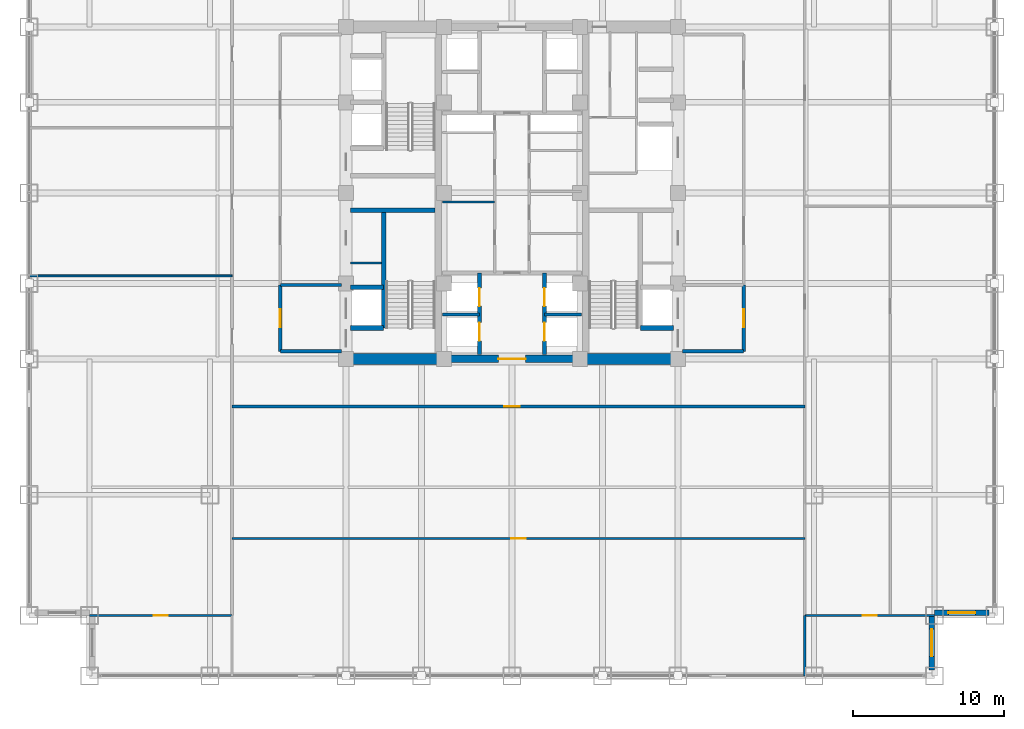
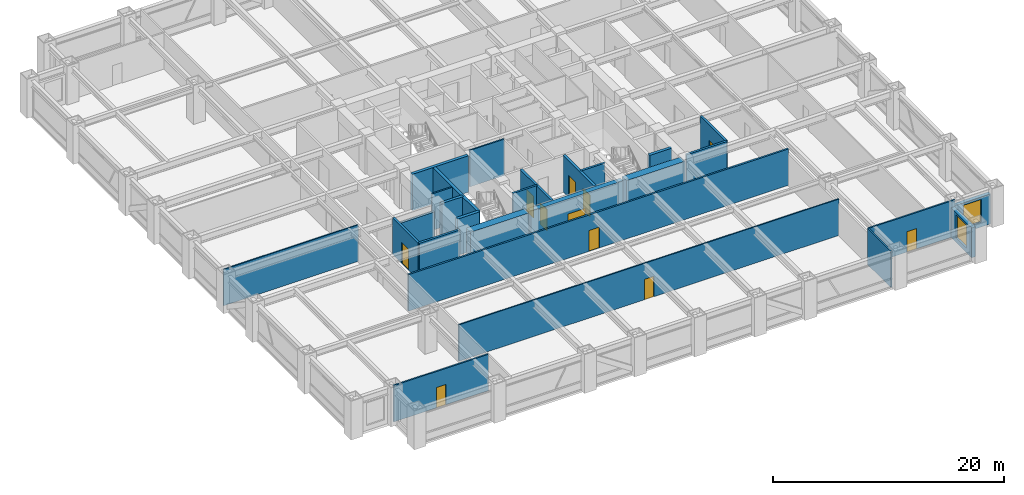
# One storey, part 23 of 28: 27 walls, 11 doors, 2 windows, 13 openings.
"""IFC4 building model written with IfcOpenShell, lengths in metres."""

from ifc_helpers import new_model, si_unit, direction, frame, frame_2d, origin, place, context, subcontext, project, spatial, rectangle, extrude, source, transform, mapped, material, layer, layer_set, type_object, element, fill, save


model = new_model("IFC4")

# Units and contexts
model_context = context("Model", 3, precision=1e-05, world=origin(), true_north=direction((0.0, 1.0)))
body_context = subcontext(model_context, "Body", "Model", "MODEL_VIEW")
ifc_project = project(units=[si_unit("LENGTHUNIT", "METRE"), si_unit("AREAUNIT", "SQUARE_METRE"), si_unit("VOLUMEUNIT", "CUBIC_METRE"), si_unit("PLANEANGLEUNIT", "RADIAN"), si_unit("MASSUNIT", "GRAM", prefix="KILO")], contexts=[model_context])

# Site, building, storey
site_placement = place(None, origin())
site = spatial("IfcSite", under=ifc_project, at=site_placement, CompositionType="ELEMENT")
building_placement = place(site_placement, origin())
building = spatial("IfcBuilding", under=site, at=building_placement, Name="Khorayat Bourse Tower", CompositionType="ELEMENT")
storey_placement = place(building_placement, frame((0.0, 0.0, 120.10009765625)))
storey = spatial("IfcBuildingStorey", under=building, at=storey_placement, Name="L27", CompositionType="ELEMENT", Elevation=120.10009765625)

# Walls
ifc_material_1 = material(Name="Concrete C72/90", Category="concrete")
ifc_layer_1 = layer(ifc_material_1, 0.75)
ifc_layer_set_1 = layer_set([ifc_layer_1], Name="Concrete C72/90")
wall_type_1 = type_object("IfcWallType", Name="WAL-CORE-750", PredefinedType="SHEAR", material=ifc_layer_set_1)
shared_shape_1 = source(origin(), body_context, "Body", "SweptSolid", [
    extrude(rectangle(XDim=5.849853515625, YDim=0.75, at=frame_2d((2.9248046875, 0.0))), origin(), (0.0, 0.0, 1.0), 3.83984375),
])
for number, where, z_axis, x_axis, name in (
    (1, (-10.699951171875, -11.0, 0.0), (0.0, 0.0, 1.0), (1.0, 0.0, 0.0), "L27 Core Shear Wall PIER-WS"),
    (2, (4.85009765625, -11.0, 0.0), (0.0, 0.0, 1.0), (1.0, 0.0, 0.0), "L27 Core Shear Wall PIER-ES"),
):
    element("IfcWall", number, at=place(storey_placement, frame(where, z_axis=z_axis, x_axis=x_axis)), inside=storey, type_object=wall_type_1, Name=name, PredefinedType="SHEAR", context=body_context, shape_type="MappedRepresentation", body=[
        mapped(shared_shape_1, transform((0.0, 0.0, 0.0), scale=1.0)),
    ])
ifc_material_2 = material(Name="Concrete C50/60", Category="concrete")
ifc_layer_2 = layer(ifc_material_2, 0.300048828125)
ifc_layer_set_2 = layer_set([ifc_layer_2], Name="Concrete C50/60")
wall_type_2 = type_object("IfcWallType", Name="WAL-SHAFT-300", PredefinedType="SHEAR", material=ifc_layer_set_2)
shared_shape_2 = source(origin(), body_context, "Body", "SweptSolid", [
    extrude(rectangle(XDim=5.599853515625, YDim=0.300048828125, at=frame_2d((2.7998046875, 0.0))), origin(), (0.0, 0.0, 1.0), 3.83984375),
])
wall_1_placement = place(storey_placement, frame((-10.699951171875, -1.14990234375, 0.0), z_axis=(0.0, 0.0, 1.0), x_axis=(1.0, 0.0, 0.0)))
element("IfcWall", 3, at=wall_1_placement, inside=storey, type_object=wall_type_2, Name="L27 Core Shear Wall ST1-DIV", PredefinedType="SHEAR", context=body_context, shape_type="MappedRepresentation", body=[
    mapped(shared_shape_2, transform((0.0, 0.0, 0.0), scale=1.0)),
])

# Wall, opening, door
ifc_material_3 = material(Name="Concrete C52/65", Category="concrete")
ifc_layer_3 = layer(ifc_material_3, 0.5)
ifc_layer_set_3 = layer_set([ifc_layer_3], Name="Concrete C52/65")
wall_type_3 = type_object("IfcWallType", Name="WAL-CORE-500", PredefinedType="SHEAR", material=ifc_layer_set_3)
shared_shape_3 = source(origin(), body_context, "Body", "SweptSolid", [
    extrude(rectangle(XDim=9.2001953125, YDim=0.5, at=frame_2d((4.60009765625, 0.0))), origin(), (0.0, 0.0, 1.0), 3.83984375),
])
wall_2_placement = place(storey_placement, frame((-4.60009765625, -11.0, 0.0), z_axis=(0.0, 0.0, 1.0), x_axis=(1.0, 0.0, 0.0)))
wall_2 = element("IfcWall", 4, at=wall_2_placement, inside=storey, type_object=wall_type_3, Name="L27 Core Shear Wall CORE-S", PredefinedType="SHEAR", context=body_context, shape_type="MappedRepresentation", body=[
    mapped(shared_shape_3, transform((0.0, 0.0, 0.0), scale=1.0)),
])
shared_shape_4 = source(origin(), body_context, "Body", "SweptSolid", [
    extrude(rectangle(XDim=1.800048828125, YDim=2.25, at=frame_2d((0.89990234375, 1.125))), frame((0.0, 0.260009765625, 0.0), z_axis=(0.0, -1.0, 0.0), x_axis=(1.0, 0.0, 0.0)), (0.0, 0.0, 1.0), 0.52001953125),
])
opening_1_placement = place(wall_2_placement, frame((3.699951171875, 0.0, 0.0)))
opening_1 = element("IfcOpeningElement", 5, at=opening_1_placement, cuts=wall_2, Name="Opening DI-03", PredefinedType="OPENING", context=body_context, shape_type="MappedRepresentation", body=[
    mapped(shared_shape_4, transform((0.0, 0.0, 0.0), scale=1.0)),
])
ifc_material_4 = material(Name="Fire-rated hardwood vision-panel double leaf", Category="wood")
door_type_1 = type_object("IfcDoorType", Name="DR-INT-CORR-1800", OperationType="NOTDEFINED", PredefinedType="DOOR", material=ifc_material_4)
shared_shape_5 = source(origin(), body_context, "Body", "SweptSolid", [
    extrude(rectangle(XDim=1.800048828125, YDim=2.25, at=frame_2d((0.89990234375, 1.125))), frame((0.0, 0.02490234375, 0.0), z_axis=(0.0, -1.0, 0.0), x_axis=(1.0, 0.0, 0.0)), (0.0, 0.0, 1.0), 0.050048828125),
])
door_1_placement = place(opening_1_placement, origin())
door_1 = element("IfcDoor", 6, at=door_1_placement, inside=storey, type_object=door_type_1, Name="L27 Low-Rise Lift Lobby Door", OperationType="SINGLE_SWING_LEFT", OverallHeight=2.25, OverallWidth=1.800048828125, PredefinedType="DOOR", context=body_context, shape_type="MappedRepresentation", body=[
    mapped(shared_shape_5, transform((0.0, 0.0, 0.0), scale=1.0)),
])
fill(opening_1, door_1)

# Wall, opening, window
ifc_material_5 = material(Name="Precast concrete C45/55", Category="concrete")
ifc_layer_4 = layer(ifc_material_5, 0.3798828125)
ifc_layer_set_4 = layer_set([ifc_layer_4], Name="Precast concrete C45/55")
wall_type_4 = type_object("IfcWallType", Name="WAL-EXT-STONE-380", PredefinedType="STANDARD", material=ifc_layer_set_4)
shared_shape_6 = source(origin(), body_context, "Body", "SweptSolid", [
    extrude(rectangle(XDim=3.6201171875, YDim=0.3798828125, at=frame_2d((1.81005859375, 0.0))), origin(), (0.0, 0.0, 1.0), 3.14501953125),
])
wall_3_placement = place(storey_placement, frame((27.81005859375, -31.6201171875, 0.0), z_axis=(0.0, 0.0, 1.0), x_axis=(0.0, 1.0, 0.0)))
wall_3 = element("IfcWall", 7, at=wall_3_placement, inside=storey, type_object=wall_type_4, Name="L27 Re-Entrant Notch Limestone Wall SE-V", PredefinedType="STANDARD", context=body_context, shape_type="MappedRepresentation", body=[
    mapped(shared_shape_6, transform((0.0, 0.0, 0.0), scale=1.0)),
])
shared_shape_7 = source(origin(), body_context, "Body", "SweptSolid", [
    extrude(rectangle(XDim=1.800048828125, YDim=2.39990234375, at=frame_2d((0.89990234375, 1.199951171875))), frame((0.0, 0.199951171875, 0.0), z_axis=(0.0, -1.0, 0.0), x_axis=(1.0, 0.0, 0.0)), (0.0, 0.0, 1.0), 0.39990234375),
])
opening_2_placement = place(wall_3_placement, frame((0.909912109375, 0.0, 0.5)))
opening_2 = element("IfcOpeningElement", 8, at=opening_2_placement, cuts=wall_3, Name="Opening WN-04", PredefinedType="OPENING", context=body_context, shape_type="MappedRepresentation", body=[
    mapped(shared_shape_7, transform((0.0, 0.0, 0.0), scale=1.0)),
])
ifc_material_6 = material(Name="Low-E acoustic laminated double glazing", Category="glass")
window_type = type_object("IfcWindowType", Name="WIN-NOTCH-1800x2400", PartitioningType="SINGLE_PANEL", PredefinedType="WINDOW", material=ifc_material_6)
shared_shape_8 = source(origin(), body_context, "Body", "SweptSolid", [
    extrude(rectangle(XDim=1.800048828125, YDim=2.39990234375, at=frame_2d((0.89990234375, 1.199951171875))), frame((0.0, 0.030029296875, 0.0), z_axis=(0.0, -1.0, 0.0), x_axis=(1.0, 0.0, 0.0)), (0.0, 0.0, 1.0), 0.06005859375),
])
window_1_placement = place(opening_2_placement, origin())
window_1 = element("IfcWindow", 9, at=window_1_placement, inside=storey, type_object=window_type, Name="L27 Facade Window 1", OverallHeight=2.39990234375, OverallWidth=1.800048828125, PartitioningType="SINGLE_PANEL", PredefinedType="WINDOW", context=body_context, shape_type="MappedRepresentation", body=[
    mapped(shared_shape_8, transform((0.0, 0.0, 0.0), scale=1.0)),
])
fill(opening_2, window_1)

wall_4_placement = place(storey_placement, frame((28.0, -27.81005859375, 0.0), z_axis=(0.0, 0.0, 1.0), x_axis=(1.0, 0.0, 0.0)))
wall_4 = element("IfcWall", 10, at=wall_4_placement, inside=storey, type_object=wall_type_4, Name="L27 Re-Entrant Notch Limestone Wall SE-H", PredefinedType="STANDARD", context=body_context, shape_type="MappedRepresentation", body=[
    mapped(shared_shape_6, transform((0.0, 0.0, 0.0), scale=1.0)),
])
opening_3_placement = place(wall_4_placement, frame((0.909912109375, 0.0, 0.5)))
opening_3 = element("IfcOpeningElement", 11, at=opening_3_placement, cuts=wall_4, Name="Opening WN-04", PredefinedType="OPENING", context=body_context, shape_type="MappedRepresentation", body=[
    mapped(shared_shape_7, transform((0.0, 0.0, 0.0), scale=1.0)),
])
window_2_placement = place(opening_3_placement, origin())
window_2 = element("IfcWindow", 12, at=window_2_placement, inside=storey, type_object=window_type, Name="L27 Facade Window 1", OverallHeight=2.39990234375, OverallWidth=1.800048828125, PartitioningType="SINGLE_PANEL", PredefinedType="WINDOW", context=body_context, shape_type="MappedRepresentation", body=[
    mapped(shared_shape_8, transform((0.0, 0.0, 0.0), scale=1.0)),
])
fill(opening_3, window_2)

# Walls
ifc_material_7 = material(Name="Aerated concrete blockwork", Category="masonry")
ifc_layer_5 = layer(ifc_material_7, 0.219970703125)
ifc_layer_set_5 = layer_set([ifc_layer_5], Name="Aerated concrete blockwork")
wall_type_5 = type_object("IfcWallType", Name="WAL-PART-FF-220", PredefinedType="PARTITIONING", material=ifc_layer_set_5)
shared_shape_9 = source(origin(), body_context, "Body", "SweptSolid", [
    extrude(rectangle(XDim=4.050048828125, YDim=0.219970703125, at=frame_2d((2.02490234375, 0.0))), origin(), (0.0, 0.0, 1.0), 3.06689453125),
])
wall_5_placement = place(storey_placement, frame((-15.35009765625, -6.10009765625, 0.0), z_axis=(0.0, 0.0, 1.0), x_axis=(1.0, 0.0, 0.0)))
element("IfcWall", 13, at=wall_5_placement, inside=storey, type_object=wall_type_5, Name="L27 Partition WAL-L27-FFLW-N", PredefinedType="PARTITIONING", context=body_context, shape_type="MappedRepresentation", body=[
    mapped(shared_shape_9, transform((0.0, 0.0, 0.0), scale=1.0)),
])
shared_shape_10 = source(origin(), body_context, "Body", "SweptSolid", [
    extrude(rectangle(XDim=7.800048828125, YDim=0.300048828125, at=frame_2d((3.89990234375, 0.0))), origin(), (0.0, 0.0, 1.0), 3.83984375),
])
wall_6_placement = place(storey_placement, frame((-8.5, -8.949951171875, 0.0), z_axis=(0.0, 0.0, 1.0), x_axis=(0.0, 1.0, 0.0)))
element("IfcWall", 14, at=wall_6_placement, inside=storey, type_object=wall_type_2, Name="L27 Partition WAL-L27-WPIER-SP", PredefinedType="SHEAR", context=body_context, shape_type="MappedRepresentation", body=[
    mapped(shared_shape_10, transform((0.0, 0.0, 0.0), scale=1.0)),
])
shared_shape_11 = source(origin(), body_context, "Body", "SweptSolid", [
    extrude(rectangle(XDim=2.199951171875, YDim=0.300048828125, at=frame_2d((1.10009765625, 0.0))), origin(), (0.0, 0.0, 1.0), 3.83984375),
])
for number, where, z_axis, x_axis, name in (
    (15, (-10.699951171875, -8.949951171875, 0.0), (0.0, 0.0, 1.0), (1.0, 0.0, 0.0), "L27 Partition WAL-L27-WPIER-FF1S"),
    (16, (-10.699951171875, -6.25, 0.0), (0.0, 0.0, 1.0), (1.0, 0.0, 0.0), "L27 Partition WAL-L27-WPIER-FF1N"),
    (17, (8.5, -8.949951171875, 0.0), (0.0, 0.0, 1.0), (1.0, 0.0, 0.0), "L27 Partition WAL-L27-EPIER-FF2S"),
):
    element("IfcWall", number, at=place(storey_placement, frame(where, z_axis=z_axis, x_axis=x_axis)), inside=storey, type_object=wall_type_2, Name=name, PredefinedType="SHEAR", context=body_context, shape_type="MappedRepresentation", body=[
        mapped(shared_shape_11, transform((0.0, 0.0, 0.0), scale=1.0)),
    ])
ifc_material_8 = material(Name="Gypsum plasterboard twin-frame partition")
ifc_layer_6 = layer(ifc_material_8, 0.14990234375)
ifc_layer_set_6 = layer_set([ifc_layer_6], Name="Gypsum plasterboard twin-frame partition")
wall_type_6 = type_object("IfcWallType", Name="WAL-PART-SUITE-150", PredefinedType="PARTITIONING", material=ifc_layer_set_6)
shared_shape_12 = source(origin(), body_context, "Body", "SweptSolid", [
    extrude(rectangle(XDim=2.050048828125, YDim=0.14990234375, at=frame_2d((1.02490234375, 0.0))), origin(), (0.0, 0.0, 1.0), 3.83984375),
])
wall_7_placement = place(storey_placement, frame((-10.699951171875, -4.64990234375, 0.0), z_axis=(0.0, 0.0, 1.0), x_axis=(1.0, 0.0, 0.0)))
element("IfcWall", 18, at=wall_7_placement, inside=storey, type_object=wall_type_6, Name="L27 Partition WAL-L27-WSRV-S0", PredefinedType="PARTITIONING", context=body_context, shape_type="MappedRepresentation", body=[
    mapped(shared_shape_12, transform((0.0, 0.0, 0.0), scale=1.0)),
])
shared_shape_13 = source(origin(), body_context, "Body", "SweptSolid", [
    extrude(rectangle(XDim=4.050048828125, YDim=0.219970703125, at=frame_2d((2.02490234375, 0.0))), origin(), (0.0, 0.0, 1.0), 3.83984375),
])
for number, where, z_axis, x_axis, name in (
    (19, (-15.35009765625, -10.5, 0.0), (0.0, 0.0, 1.0), (1.0, 0.0, 0.0), "L27 Partition WAL-L27-FFLW-S"),
    (20, (11.300048828125, -10.5, 0.0), (0.0, 0.0, 1.0), (1.0, 0.0, 0.0), "L27 Partition WAL-L27-FFLE-S"),
):
    element("IfcWall", number, at=place(storey_placement, frame(where, z_axis=z_axis, x_axis=x_axis)), inside=storey, type_object=wall_type_5, Name=name, PredefinedType="PARTITIONING", context=body_context, shape_type="MappedRepresentation", body=[
        mapped(shared_shape_13, transform((0.0, 0.0, 0.0), scale=1.0)),
    ])

# Wall, opening, door
shared_shape_14 = source(origin(), body_context, "Body", "SweptSolid", [
    extrude(rectangle(XDim=4.39990234375, YDim=0.219970703125, at=frame_2d((2.199951171875, 0.0))), origin(), (0.0, 0.0, 1.0), 3.83984375),
])
wall_8_placement = place(storey_placement, frame((-15.35009765625, -10.5, 0.0), z_axis=(0.0, 0.0, 1.0), x_axis=(0.0, 1.0, 0.0)))
wall_8 = element("IfcWall", 21, at=wall_8_placement, inside=storey, type_object=wall_type_5, Name="L27 Partition WAL-L27-FFLW-W", PredefinedType="PARTITIONING", context=body_context, shape_type="MappedRepresentation", body=[
    mapped(shared_shape_14, transform((0.0, 0.0, 0.0), scale=1.0)),
])
shared_shape_15 = source(origin(), body_context, "Body", "SweptSolid", [
    extrude(rectangle(XDim=1.199951171875, YDim=2.199951171875, at=frame_2d((0.60009765625, 1.10009765625))), frame((0.0, 0.119873046875, 0.0), z_axis=(0.0, -1.0, 0.0), x_axis=(1.0, 0.0, 0.0)), (0.0, 0.0, 1.0), 0.239990234375),
])
opening_4_placement = place(wall_8_placement, frame((1.60009765625, 0.0, 0.0)))
opening_4 = element("IfcOpeningElement", 22, at=opening_4_placement, cuts=wall_8, Name="Opening DI-02", PredefinedType="OPENING", context=body_context, shape_type="MappedRepresentation", body=[
    mapped(shared_shape_15, transform((0.0, 0.0, 0.0), scale=1.0)),
])
ifc_material_9 = material(Name="Fire-rated steel double-seal leaf", Category="steel")
door_type_2 = type_object("IfcDoorType", Name="DR-INT-FFLOBBY-1200", OperationType="NOTDEFINED", PredefinedType="DOOR", material=ifc_material_9)
shared_shape_16 = source(origin(), body_context, "Body", "SweptSolid", [
    extrude(rectangle(XDim=1.199951171875, YDim=2.199951171875, at=frame_2d((0.60009765625, 1.10009765625))), frame((0.0, 0.02490234375, 0.0), z_axis=(0.0, -1.0, 0.0), x_axis=(1.0, 0.0, 0.0)), (0.0, 0.0, 1.0), 0.050048828125),
])
door_2_placement = place(opening_4_placement, origin())
door_2 = element("IfcDoor", 23, at=door_2_placement, inside=storey, type_object=door_type_2, Name="L27 West Firefighting Lobby Door", OperationType="SINGLE_SWING_LEFT", OverallHeight=2.199951171875, OverallWidth=1.199951171875, PredefinedType="DOOR", context=body_context, shape_type="MappedRepresentation", body=[
    mapped(shared_shape_16, transform((0.0, 0.0, 0.0), scale=1.0)),
])
fill(opening_4, door_2)

wall_9_placement = place(storey_placement, frame((15.35009765625, -10.5, 0.0), z_axis=(0.0, 0.0, 1.0), x_axis=(0.0, 1.0, 0.0)))
wall_9 = element("IfcWall", 24, at=wall_9_placement, inside=storey, type_object=wall_type_5, Name="L27 Partition WAL-L27-FFLE-E", PredefinedType="PARTITIONING", context=body_context, shape_type="MappedRepresentation", body=[
    mapped(shared_shape_14, transform((0.0, 0.0, 0.0), scale=1.0)),
])
opening_5_placement = place(wall_9_placement, frame((1.60009765625, 0.0, 0.0)))
opening_5 = element("IfcOpeningElement", 25, at=opening_5_placement, cuts=wall_9, Name="Opening DI-02", PredefinedType="OPENING", context=body_context, shape_type="MappedRepresentation", body=[
    mapped(shared_shape_15, transform((0.0, 0.0, 0.0), scale=1.0)),
])
door_3_placement = place(opening_5_placement, origin())
door_3 = element("IfcDoor", 26, at=door_3_placement, inside=storey, type_object=door_type_2, Name="L27 East Firefighting Lobby Door", OperationType="SINGLE_SWING_RIGHT", OverallHeight=2.199951171875, OverallWidth=1.199951171875, PredefinedType="DOOR", context=body_context, shape_type="MappedRepresentation", body=[
    mapped(shared_shape_16, transform((0.0, 0.0, 0.0), scale=1.0)),
])
fill(opening_5, door_3)

# Wall, openings, doors
shared_shape_17 = source(origin(), body_context, "Body", "SweptSolid", [
    extrude(rectangle(XDim=5.39990234375, YDim=0.25, at=frame_2d((2.699951171875, 0.0))), origin(), (0.0, 0.0, 1.0), 3.83984375),
])
wall_10_placement = place(storey_placement, frame((-2.14990234375, -10.699951171875, 0.0), z_axis=(0.0, 0.0, 1.0), x_axis=(0.0, 1.0, 0.0)))
wall_10 = element("IfcWall", 27, at=wall_10_placement, inside=storey, type_object=wall_type_2, Name="L27 Partition WAL-L27-B1-W", PredefinedType="SHEAR", context=body_context, shape_type="MappedRepresentation", body=[
    mapped(shared_shape_17, transform((0.0, 0.0, 0.0), scale=1.0)),
])
shared_shape_18 = source(origin(), body_context, "Body", "SweptSolid", [
    extrude(rectangle(XDim=1.199951171875, YDim=2.300048828125, at=frame_2d((0.60009765625, 1.14990234375))), frame((0.0, 0.135009765625, 0.0), z_axis=(0.0, -1.0, 0.0), x_axis=(1.0, 0.0, 0.0)), (0.0, 0.0, 1.0), 0.27001953125),
])
opening_6_placement = place(wall_10_placement, frame((0.89990234375, 0.0, 0.0)))
opening_6 = element("IfcOpeningElement", 28, at=opening_6_placement, cuts=wall_10, Name="Opening LD-01", PredefinedType="OPENING", context=body_context, shape_type="MappedRepresentation", body=[
    mapped(shared_shape_18, transform((0.0, 0.0, 0.0), scale=1.0)),
])
opening_7_placement = place(wall_10_placement, frame((3.199951171875, 0.0, 0.0)))
opening_7 = element("IfcOpeningElement", 29, at=opening_7_placement, cuts=wall_10, Name="Opening LD-01", PredefinedType="OPENING", context=body_context, shape_type="MappedRepresentation", body=[
    mapped(shared_shape_18, transform((0.0, 0.0, 0.0), scale=1.0)),
])
ifc_material_10 = material(Name="Brushed bronze stainless-steel sliding door", Category="steel")
door_type_3 = type_object("IfcDoorType", Name="DR-LIFT-PASS-1200", OperationType="NOTDEFINED", PredefinedType="DOOR", material=ifc_material_10)
shared_shape_19 = source(origin(), body_context, "Body", "SweptSolid", [
    extrude(rectangle(XDim=1.199951171875, YDim=2.300048828125, at=frame_2d((0.60009765625, 1.14990234375))), frame((0.0, 0.02490234375, 0.0), z_axis=(0.0, -1.0, 0.0), x_axis=(1.0, 0.0, 0.0)), (0.0, 0.0, 1.0), 0.050048828125),
])
door_4_placement = place(opening_6_placement, origin())
door_4 = element("IfcDoor", 30, at=door_4_placement, inside=storey, type_object=door_type_3, Name="L27 Lift PL-L1 Sliding Landing Door", OperationType="SLIDING_TO_LEFT", OverallHeight=2.300048828125, OverallWidth=1.199951171875, PredefinedType="DOOR", context=body_context, shape_type="MappedRepresentation", body=[
    mapped(shared_shape_19, transform((0.0, 0.0, 0.0), scale=1.0)),
])
fill(opening_6, door_4)
door_5_placement = place(opening_7_placement, origin())
door_5 = element("IfcDoor", 31, at=door_5_placement, inside=storey, type_object=door_type_3, Name="L27 Lift PL-L3 Sliding Landing Door", OperationType="SLIDING_TO_LEFT", OverallHeight=2.300048828125, OverallWidth=1.199951171875, PredefinedType="DOOR", context=body_context, shape_type="MappedRepresentation", body=[
    mapped(shared_shape_19, transform((0.0, 0.0, 0.0), scale=1.0)),
])
fill(opening_7, door_5)

wall_11_placement = place(storey_placement, frame((2.14990234375, -10.699951171875, 0.0), z_axis=(0.0, 0.0, 1.0), x_axis=(0.0, 1.0, 0.0)))
wall_11 = element("IfcWall", 32, at=wall_11_placement, inside=storey, type_object=wall_type_2, Name="L27 Partition WAL-L27-B1-E", PredefinedType="SHEAR", context=body_context, shape_type="MappedRepresentation", body=[
    mapped(shared_shape_17, transform((0.0, 0.0, 0.0), scale=1.0)),
])
opening_8_placement = place(wall_11_placement, frame((0.89990234375, 0.0, 0.0)))
opening_8 = element("IfcOpeningElement", 33, at=opening_8_placement, cuts=wall_11, Name="Opening LD-01", PredefinedType="OPENING", context=body_context, shape_type="MappedRepresentation", body=[
    mapped(shared_shape_18, transform((0.0, 0.0, 0.0), scale=1.0)),
])
opening_9_placement = place(wall_11_placement, frame((3.199951171875, 0.0, 0.0)))
opening_9 = element("IfcOpeningElement", 34, at=opening_9_placement, cuts=wall_11, Name="Opening LD-01", PredefinedType="OPENING", context=body_context, shape_type="MappedRepresentation", body=[
    mapped(shared_shape_18, transform((0.0, 0.0, 0.0), scale=1.0)),
])
door_6_placement = place(opening_8_placement, origin())
door_6 = element("IfcDoor", 35, at=door_6_placement, inside=storey, type_object=door_type_3, Name="L27 Lift PL-L2 Sliding Landing Door", OperationType="SLIDING_TO_LEFT", OverallHeight=2.300048828125, OverallWidth=1.199951171875, PredefinedType="DOOR", context=body_context, shape_type="MappedRepresentation", body=[
    mapped(shared_shape_19, transform((0.0, 0.0, 0.0), scale=1.0)),
])
fill(opening_8, door_6)
door_7_placement = place(opening_9_placement, origin())
door_7 = element("IfcDoor", 36, at=door_7_placement, inside=storey, type_object=door_type_3, Name="L27 Lift PL-L4 Sliding Landing Door", OperationType="SLIDING_TO_LEFT", OverallHeight=2.300048828125, OverallWidth=1.199951171875, PredefinedType="DOOR", context=body_context, shape_type="MappedRepresentation", body=[
    mapped(shared_shape_19, transform((0.0, 0.0, 0.0), scale=1.0)),
])
fill(opening_9, door_7)

# Walls
shared_shape_20 = source(origin(), body_context, "Body", "SweptSolid", [
    extrude(rectangle(XDim=2.4501953125, YDim=0.199951171875, at=frame_2d((1.22509765625, 0.0))), origin(), (0.0, 0.0, 1.0), 3.83984375),
])
for number, where, z_axis, x_axis, name in (
    (37, (-4.60009765625, -8.050048828125, 0.0), (0.0, 0.0, 1.0), (1.0, 0.0, 0.0), "L27 Partition WAL-L27-B1-MW"),
    (38, (2.14990234375, -8.050048828125, 0.0), (0.0, 0.0, 1.0), (1.0, 0.0, 0.0), "L27 Partition WAL-L27-B1-ME"),
):
    element("IfcWall", number, at=place(storey_placement, frame(where, z_axis=z_axis, x_axis=x_axis)), inside=storey, type_object=wall_type_2, Name=name, PredefinedType="SHEAR", context=body_context, shape_type="MappedRepresentation", body=[
        mapped(shared_shape_20, transform((0.0, 0.0, 0.0), scale=1.0)),
    ])
ifc_material_11 = material(Name="Moisture-resistant masonry partition", Category="masonry")
ifc_layer_7 = layer(ifc_material_11, 0.139892578125)
ifc_layer_set_7 = layer_set([ifc_layer_7], Name="Moisture-resistant masonry partition")
wall_type_7 = type_object("IfcWallType", Name="WAL-PART-WET-140", PredefinedType="PARTITIONING", material=ifc_layer_set_7)
shared_shape_21 = source(origin(), body_context, "Body", "SweptSolid", [
    extrude(rectangle(XDim=3.4501953125, YDim=0.139892578125, at=frame_2d((1.72509765625, 0.0))), origin(), (0.0, 0.0, 1.0), 3.83984375),
])
wall_12_placement = place(storey_placement, frame((-4.60009765625, -0.60009765625, 0.0), z_axis=(0.0, 0.0, 1.0), x_axis=(1.0, 0.0, 0.0)))
element("IfcWall", 39, at=wall_12_placement, inside=storey, type_object=wall_type_7, Name="L27 Partition WAL-L27-CMW-D1", PredefinedType="PARTITIONING", context=body_context, shape_type="MappedRepresentation", body=[
    mapped(shared_shape_21, transform((0.0, 0.0, 0.0), scale=1.0)),
])
shared_shape_22 = source(origin(), body_context, "Body", "SweptSolid", [
    extrude(rectangle(XDim=4.0, YDim=0.14990234375, at=frame_2d((2.0, 0.0))), origin(), (0.0, 0.0, 1.0), 3.83984375),
])
wall_13_placement = place(storey_placement, frame((19.39990234375, -32.0, 0.0), z_axis=(0.0, 0.0, 1.0), x_axis=(0.0, 1.0, 0.0)))
element("IfcWall", 40, at=wall_13_placement, inside=storey, type_object=wall_type_6, Name="L27 Partition WAL-L27-SCE-END", PredefinedType="PARTITIONING", context=body_context, shape_type="MappedRepresentation", body=[
    mapped(shared_shape_22, transform((0.0, 0.0, 0.0), scale=1.0)),
])

# Wall, opening, door
shared_shape_23 = source(origin(), body_context, "Body", "SweptSolid", [
    extrude(rectangle(XDim=8.60009765625, YDim=0.14990234375, at=frame_2d((4.300048828125, 0.0))), origin(), (0.0, 0.0, 1.0), 3.83984375),
])
wall_14_placement = place(storey_placement, frame((19.39990234375, -28.0, 0.0), z_axis=(0.0, 0.0, 1.0), x_axis=(1.0, 0.0, 0.0)))
wall_14 = element("IfcWall", 41, at=wall_14_placement, inside=storey, type_object=wall_type_6, Name="L27 Partition WAL-L27-CSE", PredefinedType="PARTITIONING", context=body_context, shape_type="MappedRepresentation", body=[
    mapped(shared_shape_23, transform((0.0, 0.0, 0.0), scale=1.0)),
])
shared_shape_24 = source(origin(), body_context, "Body", "SweptSolid", [
    extrude(rectangle(XDim=0.949951171875, YDim=2.14990234375, at=frame_2d((0.47509765625, 1.074951171875))), frame((0.0, 0.0849609375, 0.0), z_axis=(0.0, -1.0, 0.0), x_axis=(1.0, 0.0, 0.0)), (0.0, 0.0, 1.0), 0.169921875),
])
opening_10_placement = place(wall_14_placement, frame((3.824951171875, 0.0, 0.0)))
opening_10 = element("IfcOpeningElement", 42, at=opening_10_placement, cuts=wall_14, Name="Opening DI-05", PredefinedType="OPENING", context=body_context, shape_type="MappedRepresentation", body=[
    mapped(shared_shape_24, transform((0.0, 0.0, 0.0), scale=1.0)),
])
ifc_material_12 = material(Name="Acoustic oak veneer office door")
door_type_4 = type_object("IfcDoorType", Name="DR-INT-OFFICE-950", OperationType="NOTDEFINED", PredefinedType="DOOR", material=ifc_material_12)
shared_shape_25 = source(origin(), body_context, "Body", "SweptSolid", [
    extrude(rectangle(XDim=0.949951171875, YDim=2.14990234375, at=frame_2d((0.47509765625, 1.074951171875))), frame((0.0, 0.02490234375, 0.0), z_axis=(0.0, -1.0, 0.0), x_axis=(1.0, 0.0, 0.0)), (0.0, 0.0, 1.0), 0.050048828125),
])
door_8_placement = place(opening_10_placement, origin())
door_8 = element("IfcDoor", 43, at=door_8_placement, inside=storey, type_object=door_type_4, Name="L27 South-East Corner Briefing Room Door", OperationType="SINGLE_SWING_LEFT", OverallHeight=2.14990234375, OverallWidth=0.949951171875, PredefinedType="DOOR", context=body_context, shape_type="MappedRepresentation", body=[
    mapped(shared_shape_25, transform((0.0, 0.0, 0.0), scale=1.0)),
])
fill(opening_10, door_8)

# Wall
ifc_material_13 = material(Name="Gypsum plasterboard partition")
ifc_layer_8 = layer(ifc_material_13, 0.125)
ifc_layer_set_8 = layer_set([ifc_layer_8], Name="Gypsum plasterboard partition")
wall_type_8 = type_object("IfcWallType", Name="WAL-PART-ROOM-125", PredefinedType="PARTITIONING", material=ifc_layer_set_8)
shared_shape_26 = source(origin(), body_context, "Body", "SweptSolid", [
    extrude(rectangle(XDim=13.449951171875, YDim=0.125, at=frame_2d((6.72509765625, 0.0))), origin(), (0.0, 0.0, 1.0), 3.83984375),
])
wall_15_placement = place(storey_placement, frame((-32.0, -5.4951171875, 0.0), z_axis=(0.0, 0.0, 1.0), x_axis=(1.0, 0.0, 0.0)))
element("IfcWall", 44, at=wall_15_placement, inside=storey, type_object=wall_type_8, Name="L27 Partition WAL-L27-WDV-1", PredefinedType="PARTITIONING", context=body_context, shape_type="MappedRepresentation", body=[
    mapped(shared_shape_26, transform((0.0, 0.0, 0.0), scale=1.0)),
])

# Wall, opening, door
shared_shape_27 = source(origin(), body_context, "Body", "SweptSolid", [
    extrude(rectangle(XDim=9.449951171875, YDim=0.14990234375, at=frame_2d((4.72509765625, 0.0))), origin(), (0.0, 0.0, 1.0), 3.83984375),
])
wall_16_placement = place(storey_placement, frame((-28.0, -28.0, 0.0), z_axis=(0.0, 0.0, 1.0), x_axis=(1.0, 0.0, 0.0)))
wall_16 = element("IfcWall", 45, at=wall_16_placement, inside=storey, type_object=wall_type_6, Name="L27 Partition WAL-L27-CSW", PredefinedType="PARTITIONING", context=body_context, shape_type="MappedRepresentation", body=[
    mapped(shared_shape_27, transform((0.0, 0.0, 0.0), scale=1.0)),
])
opening_11_placement = place(wall_16_placement, frame((4.25, 0.0, 0.0)))
opening_11 = element("IfcOpeningElement", 46, at=opening_11_placement, cuts=wall_16, Name="Opening DI-05", PredefinedType="OPENING", context=body_context, shape_type="MappedRepresentation", body=[
    mapped(shared_shape_24, transform((0.0, 0.0, 0.0), scale=1.0)),
])
door_9_placement = place(opening_11_placement, origin())
door_9 = element("IfcDoor", 47, at=door_9_placement, inside=storey, type_object=door_type_4, Name="L27 South-West Corner Office Door", OperationType="SINGLE_SWING_LEFT", OverallHeight=2.14990234375, OverallWidth=0.949951171875, PredefinedType="DOOR", context=body_context, shape_type="MappedRepresentation", body=[
    mapped(shared_shape_25, transform((0.0, 0.0, 0.0), scale=1.0)),
])
fill(opening_11, door_9)

shared_shape_28 = source(origin(), body_context, "Body", "SweptSolid", [
    extrude(rectangle(XDim=37.949951171875, YDim=0.125, at=frame_2d((18.97509765625, 0.0))), origin(), (0.0, 0.0, 1.0), 3.83984375),
])
wall_17_placement = place(storey_placement, frame((-18.550048828125, -22.896484375, 0.0), z_axis=(0.0, 0.0, 1.0), x_axis=(1.0, 0.0, 0.0)))
wall_17 = element("IfcWall", 48, at=wall_17_placement, inside=storey, type_object=wall_type_8, Name="L27 Partition WAL-L27-SDP-1", PredefinedType="PARTITIONING", context=body_context, shape_type="MappedRepresentation", body=[
    mapped(shared_shape_28, transform((0.0, 0.0, 0.0), scale=1.0)),
])
shared_shape_29 = source(origin(), body_context, "Body", "SweptSolid", [
    extrude(rectangle(XDim=0.949951171875, YDim=2.14990234375, at=frame_2d((0.47509765625, 1.074951171875))), frame((0.0, 0.072509765625, 0.0), z_axis=(0.0, -1.0, 0.0), x_axis=(1.0, 0.0, 0.0)), (0.0, 0.0, 1.0), 0.14501953125),
])
opening_12_placement = place(wall_17_placement, frame((18.5, 0.0, 0.0)))
opening_12 = element("IfcOpeningElement", 49, at=opening_12_placement, cuts=wall_17, Name="Opening DI-05", PredefinedType="OPENING", context=body_context, shape_type="MappedRepresentation", body=[
    mapped(shared_shape_29, transform((0.0, 0.0, 0.0), scale=1.0)),
])
door_10_placement = place(opening_12_placement, origin())
door_10 = element("IfcDoor", 50, at=door_10_placement, inside=storey, type_object=door_type_4, Name="L27 Clearing Operations Office S1B Door", OperationType="SINGLE_SWING_RIGHT", OverallHeight=2.14990234375, OverallWidth=0.949951171875, PredefinedType="DOOR", context=body_context, shape_type="MappedRepresentation", body=[
    mapped(shared_shape_25, transform((0.0, 0.0, 0.0), scale=1.0)),
])
fill(opening_12, door_10)

ifc_material_14 = material(Name="Gypsum plasterboard acoustic stud wall")
ifc_layer_9 = layer(ifc_material_14, 0.179931640625)
ifc_layer_set_9 = layer_set([ifc_layer_9], Name="Gypsum plasterboard acoustic stud wall")
wall_type_9 = type_object("IfcWallType", Name="WAL-PART-CORR-180", PredefinedType="PARTITIONING", material=ifc_layer_set_9)
shared_shape_30 = source(origin(), body_context, "Body", "SweptSolid", [
    extrude(rectangle(XDim=37.949951171875, YDim=0.179931640625, at=frame_2d((18.97509765625, 0.0))), origin(), (0.0, 0.0, 1.0), 3.83984375),
])
wall_18_placement = place(storey_placement, frame((-18.550048828125, -14.14990234375, 0.0), z_axis=(0.0, 0.0, 1.0), x_axis=(1.0, 0.0, 0.0)))
wall_18 = element("IfcWall", 51, at=wall_18_placement, inside=storey, type_object=wall_type_9, Name="L27 Partition WAL-L27-SCORR", PredefinedType="PARTITIONING", context=body_context, shape_type="MappedRepresentation", body=[
    mapped(shared_shape_30, transform((0.0, 0.0, 0.0), scale=1.0)),
])
shared_shape_31 = source(origin(), body_context, "Body", "SweptSolid", [
    extrude(rectangle(XDim=1.050048828125, YDim=2.199951171875, at=frame_2d((0.52490234375, 1.10009765625))), frame((0.0, 0.099853515625, 0.0), z_axis=(0.0, -1.0, 0.0), x_axis=(1.0, 0.0, 0.0)), (0.0, 0.0, 1.0), 0.199951171875),
])
opening_13_placement = place(wall_18_placement, frame((18.02490234375, 0.0, 0.0)))
opening_13 = element("IfcOpeningElement", 52, at=opening_13_placement, cuts=wall_18, Name="Opening DI-04", PredefinedType="OPENING", context=body_context, shape_type="MappedRepresentation", body=[
    mapped(shared_shape_31, transform((0.0, 0.0, 0.0), scale=1.0)),
])
ifc_material_15 = material(Name="Fire-rated oak veneer suite entrance door")
door_type_5 = type_object("IfcDoorType", Name="DR-INT-SUITE-1050", OperationType="NOTDEFINED", PredefinedType="DOOR", material=ifc_material_15)
shared_shape_32 = source(origin(), body_context, "Body", "SweptSolid", [
    extrude(rectangle(XDim=1.050048828125, YDim=2.199951171875, at=frame_2d((0.52490234375, 1.10009765625))), frame((0.0, 0.02490234375, 0.0), z_axis=(0.0, -1.0, 0.0), x_axis=(1.0, 0.0, 0.0)), (0.0, 0.0, 1.0), 0.050048828125),
])
door_11_placement = place(opening_13_placement, origin())
door_11 = element("IfcDoor", 53, at=door_11_placement, inside=storey, type_object=door_type_5, Name="L27 Equities Trading Desk S1 Door", OperationType="SINGLE_SWING_RIGHT", OverallHeight=2.199951171875, OverallWidth=1.050048828125, PredefinedType="DOOR", context=body_context, shape_type="MappedRepresentation", body=[
    mapped(shared_shape_32, transform((0.0, 0.0, 0.0), scale=1.0)),
])
fill(opening_13, door_11)

save(model, "model.ifc")
